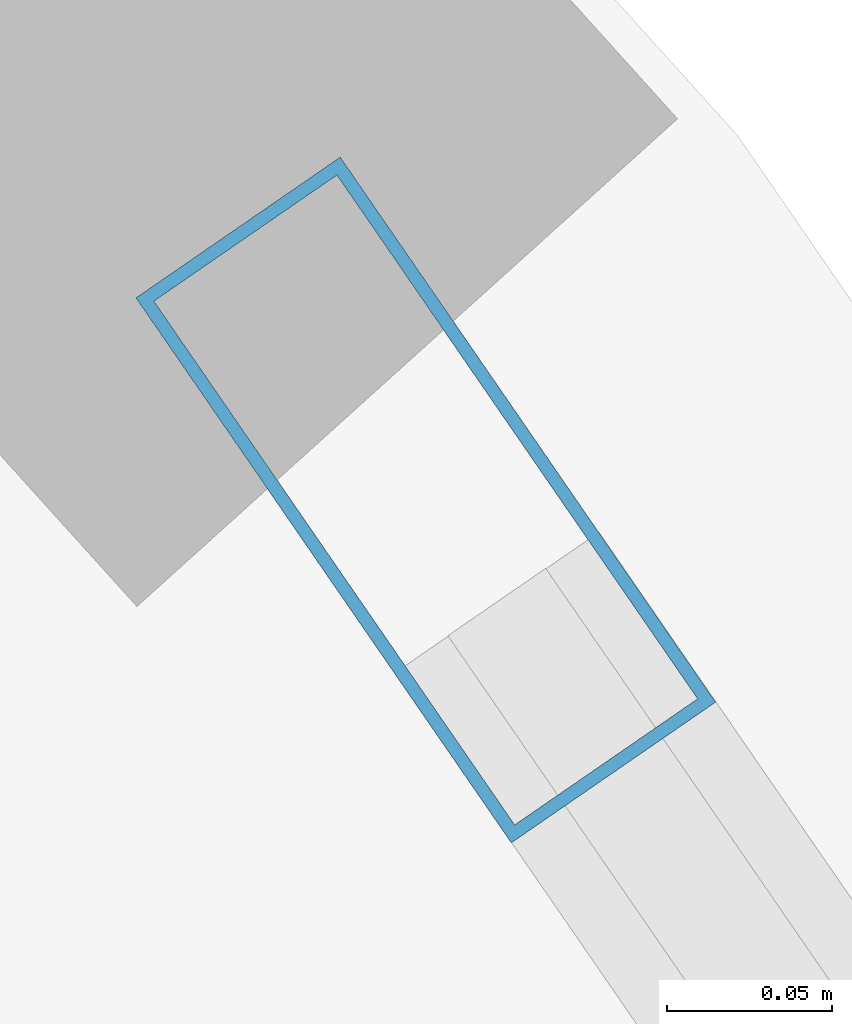
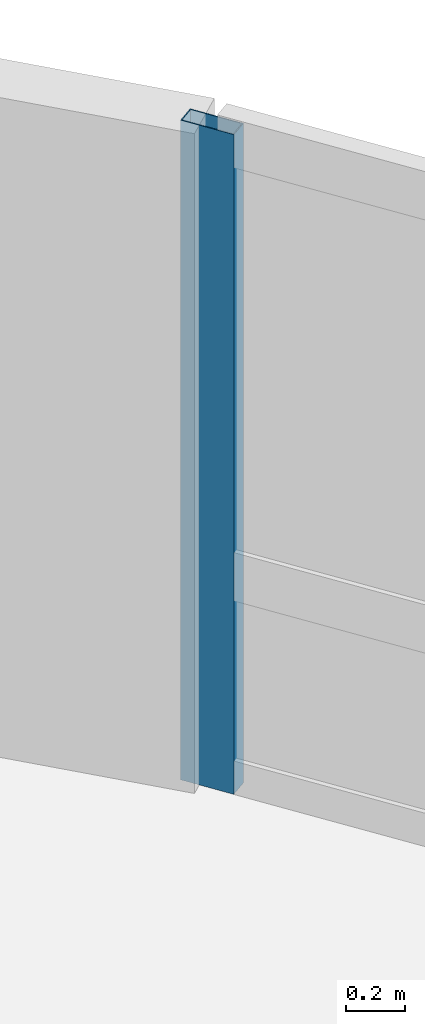
# One storey, part 12 of 21: 1 member, 1 element without a shape of its own.
"""IFC4 building model written with IfcOpenShell, lengths in metres."""

from ifc_helpers import new_model, si_unit, direction, frame, origin, origin_2d, place, context, subcontext, project, spatial, hollow_rectangle, extrude, material, layer, layer_set, material_profile, profile_set, type_object, element, aggregate, save


model = new_model("IFC4")

# Units and contexts
model_context = context("Model", 3, precision=1e-05, world=origin(), true_north=direction((0.0, 1.0)))
body_context = subcontext(model_context, "Body", "Model", "MODEL_VIEW")
ifc_project = project(units=[si_unit("LENGTHUNIT", "METRE"), si_unit("AREAUNIT", "SQUARE_METRE"), si_unit("VOLUMEUNIT", "CUBIC_METRE"), si_unit("PLANEANGLEUNIT", "RADIAN"), si_unit("MASSUNIT", "GRAM", prefix="KILO")], contexts=[model_context])

# Site, building, storey
site_placement = place(None, origin())
site = spatial("IfcSite", under=ifc_project, at=site_placement, CompositionType="ELEMENT")
building_placement = place(site_placement, origin())
building = spatial("IfcBuilding", under=site, at=building_placement, Name="Varnelok Gate Tower", CompositionType="ELEMENT")
storey_placement = place(building_placement, frame((0.0, 0.0, 276.699951171875)))
storey = spatial("IfcBuildingStorey", under=building, at=storey_placement, Name="L71", CompositionType="ELEMENT", Elevation=276.699951171875)

# Curtain wall, member
ifc_material = material(Name="Anodized Aluminum Alloy 6063-T6", Category="aluminium")
ifc_layer = layer(ifc_material, 0.179931640625)
ifc_layer_set = layer_set([ifc_layer], Name="Anodized Aluminum Alloy 6063-T6")
curtain_wall_type = type_object("IfcCurtainWallType", Name="CW4-RESIDENCE-VISION", PredefinedType="USERDEFINED", material=ifc_layer_set)
curtain_wall_placement = place(storey_placement, origin())
curtain_wall = element("IfcCurtainWall", 1, at=curtain_wall_placement, inside=storey, type_object=curtain_wall_type, Name="L71 East End Vision Curtain Wall", ObjectType="UNITISED CURTAIN WALL", PredefinedType="USERDEFINED")
ifc_material_profile = material_profile(ifc_material, hollow_rectangle(XDim=0.074951171875, YDim=0.199951171875, WallThickness=0.00390625, at=origin_2d()), Name="ALU200X75X4")
ifc_profile_set = profile_set([ifc_material_profile], Name="Anodized Aluminum Alloy 6063-T6")
member_type = type_object("IfcMemberType", Name="CW-MULL-200", PredefinedType="MULLION", material=ifc_profile_set)
member_placement = place(storey_placement, frame((57.515380859375, 56.8134765625, 0.0), z_axis=(0.0, 0.0, 1.0), x_axis=(0.823532290241, 0.567269395376, 0.0)))
member = element("IfcMember", 2, at=member_placement, type_object=member_type, Name="CW4 mullion 1", PredefinedType="MULLION", context=body_context, shape_type="SweptSolid", body=[
    extrude(hollow_rectangle(XDim=0.074951171875, YDim=0.199951171875, WallThickness=0.00390625, at=origin_2d()), origin(), (0.0, 0.0, 1.0), 2.72998046875),
])
aggregate(curtain_wall, [member])

save(model, "model.ifc")
